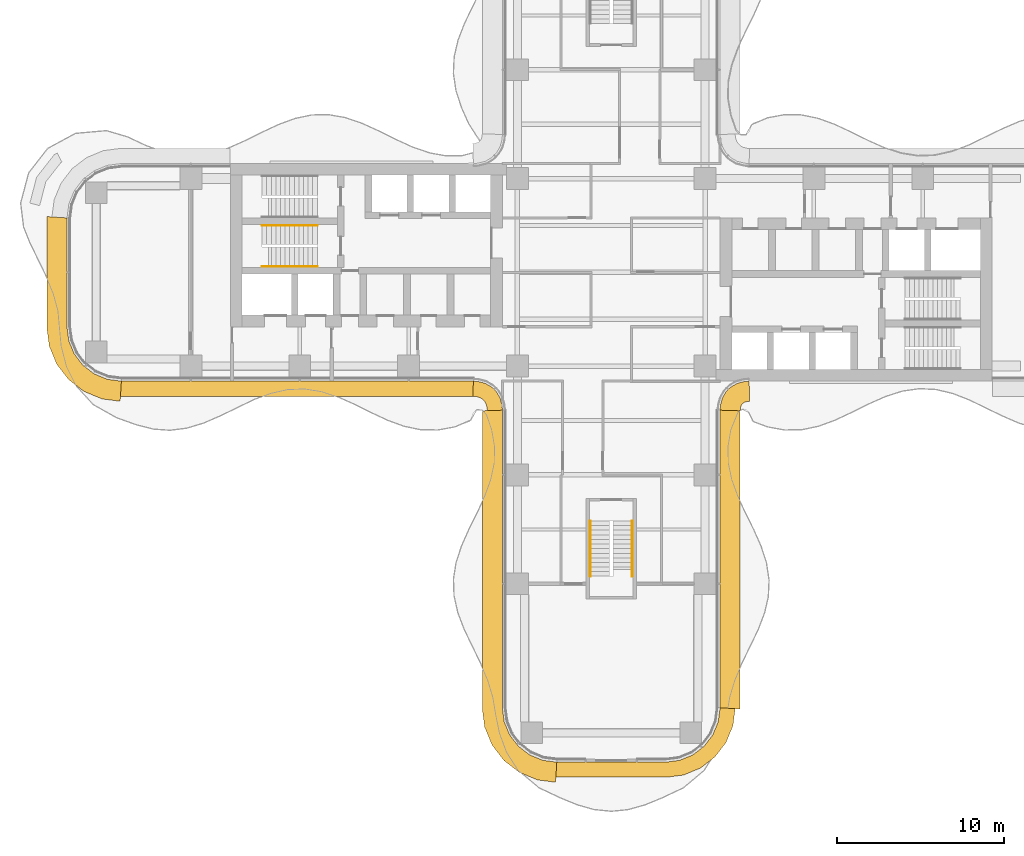
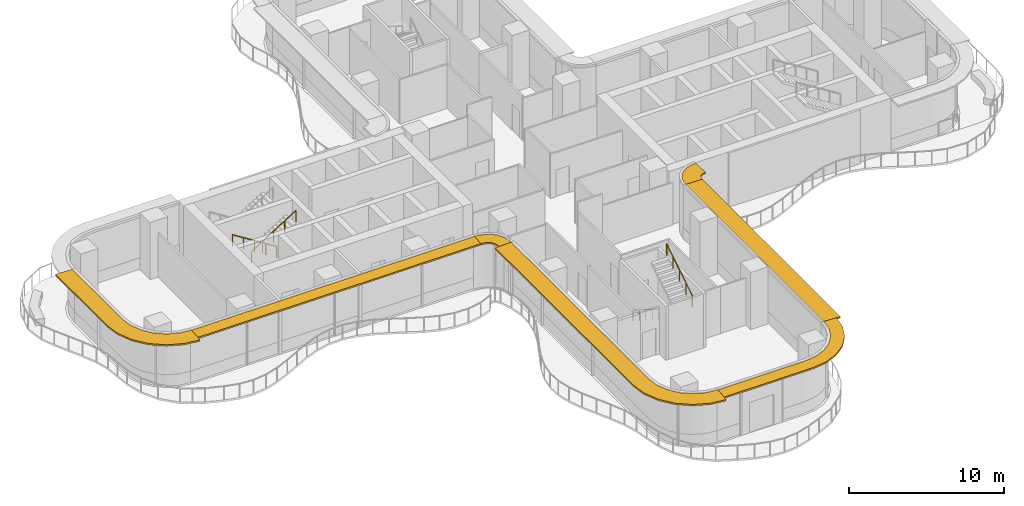
# One storey, part 20 of 21: 7 shading devices, 4 railings.
"""IFC4 building model written with IfcOpenShell, lengths in metres."""

from ifc_helpers import new_model, si_unit, direction, frame, origin, origin_2d, place, context, subcontext, project, spatial, polyline, circle, outline, extrude, source, transform, mapped, material, layer, layer_set, type_object, element, save


model = new_model("IFC4")

# Units and contexts
model_context = context("Model", 3, precision=1e-05, world=origin(), true_north=direction((0.0, 1.0)))
body_context = subcontext(model_context, "Body", "Model", "MODEL_VIEW")
ifc_project = project(units=[si_unit("LENGTHUNIT", "METRE"), si_unit("AREAUNIT", "SQUARE_METRE"), si_unit("VOLUMEUNIT", "CUBIC_METRE"), si_unit("PLANEANGLEUNIT", "RADIAN"), si_unit("MASSUNIT", "GRAM", prefix="KILO")], contexts=[model_context])

# Site, building, storey
site_placement = place(None, origin())
site = spatial("IfcSite", under=ifc_project, at=site_placement, CompositionType="ELEMENT")
building_placement = place(site_placement, origin())
building = spatial("IfcBuilding", under=site, at=building_placement, Name="Trellis Farm Tower", CompositionType="ELEMENT")
storey_placement = place(building_placement, frame((0.0, 0.0, 97.5)))
storey = spatial("IfcBuildingStorey", under=building, at=storey_placement, Name="L20", CompositionType="ELEMENT", Elevation=97.5)

# Railings
ifc_material_1 = material(Name="Stainless steel", Category="steel")
railing_type = type_object("IfcRailingType", Name="STAIR HANDRAIL 900", PredefinedType="HANDRAIL", material=ifc_material_1)
shared_shape_1 = source(origin(), body_context, "Body", "SweptSolid", [
    extrude(circle(Radius=0.02392578125, at=origin_2d()), frame((0.0, 0.0, 0.8759765625), z_axis=(0.0, 0.846319618018, 0.532675421018), x_axis=(-1.0, 0.0, 0.0)), (0.0, 0.0, 1.0), 3.89892578125),
    extrude(circle(Radius=0.02099609375, at=origin_2d()), origin(), (0.0, 0.0, 1.0), 0.851806640625),
    extrude(circle(Radius=0.02099609375, at=origin_2d()), frame((0.0, 0.824951171875, 0.519287109375)), (0.0, 0.0, 1.0), 0.851806640625),
    extrude(circle(Radius=0.02099609375, at=origin_2d()), frame((0.0, 1.64990234375, 1.03857421875)), (0.0, 0.0, 1.0), 0.851806640625),
    extrude(circle(Radius=0.02099609375, at=origin_2d()), frame((0.0, 2.474853515625, 1.5576171875)), (0.0, 0.0, 1.0), 0.851806640625),
    extrude(circle(Radius=0.02099609375, at=origin_2d()), frame((0.0, 3.2998046875, 2.076904296875)), (0.0, 0.0, 1.0), 0.851806640625),
])
railing_1_placement = place(storey_placement, frame((1.25, -18.14990234375, 2.423095703125)))
element("IfcRailing", 1, at=railing_1_placement, inside=storey, type_object=railing_type, Name="Stair handrail", PredefinedType="HANDRAIL", context=body_context, shape_type="MappedRepresentation", body=[
    mapped(shared_shape_1, transform((0.0, 0.0, 0.0))),
])
shared_shape_2 = source(origin(), body_context, "Body", "SweptSolid", [
    extrude(circle(Radius=0.02392578125, at=origin_2d()), frame((0.0, 0.0, 0.8759765625), z_axis=(0.0, -0.846319618018, 0.532675421018), x_axis=(1.0, 0.0, 0.0)), (0.0, 0.0, 1.0), 3.89892578125),
    extrude(circle(Radius=0.02099609375, at=origin_2d()), origin(), (0.0, 0.0, 1.0), 0.851806640625),
    extrude(circle(Radius=0.02099609375, at=origin_2d()), frame((0.0, -0.824951171875, 0.519287109375)), (0.0, 0.0, 1.0), 0.851806640625),
    extrude(circle(Radius=0.02099609375, at=origin_2d()), frame((0.0, -1.64990234375, 1.03857421875)), (0.0, 0.0, 1.0), 0.851806640625),
    extrude(circle(Radius=0.02099609375, at=origin_2d()), frame((0.0, -2.474853515625, 1.5576171875)), (0.0, 0.0, 1.0), 0.851806640625),
    extrude(circle(Radius=0.02099609375, at=origin_2d()), frame((0.0, -3.2998046875, 2.076904296875)), (0.0, 0.0, 1.0), 0.851806640625),
])
railing_2_placement = place(storey_placement, frame((-1.25, -14.85009765625, 0.173095703125)))
element("IfcRailing", 2, at=railing_2_placement, inside=storey, type_object=railing_type, Name="Stair handrail", PredefinedType="HANDRAIL", context=body_context, shape_type="MappedRepresentation", body=[
    mapped(shared_shape_2, transform((0.0, 0.0, 0.0))),
])
shared_shape_3 = source(origin(), body_context, "Body", "SweptSolid", [
    extrude(circle(Radius=0.02392578125, at=origin_2d()), frame((0.0, 0.0, 0.8759765625), z_axis=(0.846337383501, 0.0, 0.532647194011), x_axis=(0.0, 1.0, 0.0)), (0.0, 0.0, 1.0), 3.899169921875),
    extrude(circle(Radius=0.02099609375, at=origin_2d()), origin(), (0.0, 0.0, 1.0), 0.851806640625),
    extrude(circle(Radius=0.02099609375, at=origin_2d()), frame((0.824951171875, 0.0, 0.519287109375)), (0.0, 0.0, 1.0), 0.851806640625),
    extrude(circle(Radius=0.02099609375, at=origin_2d()), frame((1.64990234375, 0.0, 1.03857421875)), (0.0, 0.0, 1.0), 0.851806640625),
    extrude(circle(Radius=0.02099609375, at=origin_2d()), frame((2.47509765625, 0.0, 1.5576171875)), (0.0, 0.0, 1.0), 0.851806640625),
    extrude(circle(Radius=0.02099609375, at=origin_2d()), frame((3.300048828125, 0.0, 2.076904296875)), (0.0, 0.0, 1.0), 0.851806640625),
])
railing_3_placement = place(storey_placement, frame((-20.85009765625, 0.35009765625, 2.423095703125)))
element("IfcRailing", 3, at=railing_3_placement, inside=storey, type_object=railing_type, Name="Stair handrail", PredefinedType="HANDRAIL", context=body_context, shape_type="MappedRepresentation", body=[
    mapped(shared_shape_3, transform((0.0, 0.0, 0.0))),
])
shared_shape_4 = source(origin(), body_context, "Body", "SweptSolid", [
    extrude(circle(Radius=0.02392578125, at=origin_2d()), frame((0.0, 0.0, 0.8759765625), z_axis=(-0.846337383501, 0.0, 0.532647194011), x_axis=(0.0, -1.0, 0.0)), (0.0, 0.0, 1.0), 3.899169921875),
    extrude(circle(Radius=0.02099609375, at=origin_2d()), origin(), (0.0, 0.0, 1.0), 0.851806640625),
    extrude(circle(Radius=0.02099609375, at=origin_2d()), frame((-0.824951171875, 0.0, 0.519287109375)), (0.0, 0.0, 1.0), 0.851806640625),
    extrude(circle(Radius=0.02099609375, at=origin_2d()), frame((-1.64990234375, 0.0, 1.03857421875)), (0.0, 0.0, 1.0), 0.851806640625),
    extrude(circle(Radius=0.02099609375, at=origin_2d()), frame((-2.47509765625, 0.0, 1.5576171875)), (0.0, 0.0, 1.0), 0.851806640625),
    extrude(circle(Radius=0.02099609375, at=origin_2d()), frame((-3.300048828125, 0.0, 2.076904296875)), (0.0, 0.0, 1.0), 0.851806640625),
])
railing_4_placement = place(storey_placement, frame((-17.550048828125, 2.800048828125, 0.173095703125)))
element("IfcRailing", 4, at=railing_4_placement, inside=storey, type_object=railing_type, Name="Stair handrail", PredefinedType="HANDRAIL", context=body_context, shape_type="MappedRepresentation", body=[
    mapped(shared_shape_4, transform((0.0, 0.0, 0.0))),
])

# Shading devices
ifc_material_2 = material(Name="Aluminium extrusion 6063-T6", Category="aluminium")
ifc_layer_1 = layer(ifc_material_2, 0.1201171875)
ifc_layer_set_1 = layer_set([ifc_layer_1], Name="SUNSHADE BLADE 900")
shading_device_type_1 = type_object("IfcShadingDeviceType", Name="SUNSHADE BLADE 900", PredefinedType="USERDEFINED", material=ifc_layer_set_1)
shared_shape_5 = source(origin(), body_context, "Body", "SweptSolid", [
    extrude(outline(polyline([(-29.30908203125, -7.39990234375), (-8.2607421875, -7.39990234375), (-8.2314453125, -6.5), (-29.25, -6.5), (-29.30908203125, -7.39990234375)])), origin(), (0.0, 0.0, 1.0), 0.119873046875),
])
placement = place(storey_placement, frame((0.0, 0.0, 4.090087890625)))
element("IfcShadingDevice", 5, at=placement, inside=storey, type_object=shading_device_type_1, Name="SD1 001", ObjectType="SUNSHADE", PredefinedType="USERDEFINED", context=body_context, shape_type="MappedRepresentation", body=[
    mapped(shared_shape_5, transform((0.0, 0.0, 0.0))),
])
shared_shape_6 = source(origin(), body_context, "Body", "SweptSolid", [
    extrude(outline(polyline([(-8.2607421875, -7.39990234375), (-8.107666015625, -7.409912109375), (-8.091552734375, -7.412109375), (-7.85595703125, -7.475341796875), (-7.697021484375, -7.567138671875), (-7.567138671875, -7.697021484375), (-7.475341796875, -7.85595703125), (-7.412109375, -8.091552734375), (-7.409912109375, -8.107666015625), (-7.39990234375, -8.2607421875), (-6.5, -8.2314453125), (-6.513916015625, -8.01953125), (-6.527587890625, -7.91552734375), (-6.63671875, -7.508544921875), (-6.846923828125, -7.144287109375), (-7.144287109375, -6.846923828125), (-7.508544921875, -6.63671875), (-7.91552734375, -6.527587890625), (-8.01953125, -6.513916015625), (-8.2314453125, -6.5), (-8.2607421875, -7.39990234375)])), origin(), (0.0, 0.0, 1.0), 0.119873046875),
])
element("IfcShadingDevice", 6, at=placement, inside=storey, type_object=shading_device_type_1, Name="SD1 002", ObjectType="SUNSHADE", PredefinedType="USERDEFINED", context=body_context, shape_type="MappedRepresentation", body=[
    mapped(shared_shape_6, transform((0.0, 0.0, 0.0))),
])
ifc_layer_2 = layer(ifc_material_2, 0.1201171875)
ifc_layer_set_2 = layer_set([ifc_layer_2], Name="SUNSHADE BLADE 1200")
shading_device_type_2 = type_object("IfcShadingDeviceType", Name="SUNSHADE BLADE 1200", PredefinedType="USERDEFINED", material=ifc_layer_set_2)
shared_shape_7 = source(origin(), body_context, "Body", "SweptSolid", [
    extrude(outline(polyline([(-7.699951171875, -8.270751953125), (-7.699951171875, -26.07861328125), (-7.558349609375, -27.154541015625), (-7.11279296875, -28.230224609375), (-6.404052734375, -29.154052734375), (-5.480224609375, -29.86279296875), (-4.404541015625, -30.308349609375), (-3.32861328125, -30.449951171875), (-3.25, -29.25), (-4.091064453125, -29.13916015625), (-4.875, -28.814697265625), (-5.548095703125, -28.298095703125), (-6.064697265625, -27.625), (-6.38916015625, -26.841064453125), (-6.5, -26.0), (-6.5, -8.2314453125), (-7.699951171875, -8.270751953125)])), origin(), (0.0, 0.0, 1.0), 0.119873046875),
])
element("IfcShadingDevice", 7, at=placement, inside=storey, type_object=shading_device_type_2, Name="SD2 003", ObjectType="SUNSHADE", PredefinedType="USERDEFINED", context=body_context, shape_type="MappedRepresentation", body=[
    mapped(shared_shape_7, transform((0.0, 0.0, 0.0))),
])
shared_shape_8 = source(origin(), body_context, "Body", "SweptSolid", [
    extrude(outline(polyline([(-3.30908203125, -30.14990234375), (3.30908203125, -30.14990234375), (4.326171875, -30.01611328125), (5.328857421875, -29.600830078125), (6.18994140625, -28.93994140625), (6.850830078125, -28.078857421875), (7.26611328125, -27.076171875), (7.39990234375, -26.05908203125), (6.5, -26.0), (6.38916015625, -26.841064453125), (6.064697265625, -27.625), (5.548095703125, -28.298095703125), (4.875, -28.814697265625), (4.091064453125, -29.13916015625), (3.25, -29.25), (-3.25, -29.25), (-3.30908203125, -30.14990234375)])), origin(), (0.0, 0.0, 1.0), 0.119873046875),
])
element("IfcShadingDevice", 8, at=placement, inside=storey, type_object=shading_device_type_1, Name="SD1 004", ObjectType="SUNSHADE", PredefinedType="USERDEFINED", context=body_context, shape_type="MappedRepresentation", body=[
    mapped(shared_shape_8, transform((0.0, 0.0, 0.0))),
])
shared_shape_9 = source(origin(), body_context, "Body", "SweptSolid", [
    extrude(outline(polyline([(7.699951171875, -26.07861328125), (7.699951171875, -8.270751953125), (6.5, -8.2314453125), (6.5, -26.0), (7.699951171875, -26.07861328125)])), origin(), (0.0, 0.0, 1.0), 0.119873046875),
])
element("IfcShadingDevice", 9, at=placement, inside=storey, type_object=shading_device_type_2, Name="SD2 005", ObjectType="SUNSHADE", PredefinedType="USERDEFINED", context=body_context, shape_type="MappedRepresentation", body=[
    mapped(shared_shape_9, transform((0.0, 0.0, 0.0))),
])
shared_shape_10 = source(origin(), body_context, "Body", "SweptSolid", [
    extrude(outline(polyline([(7.699951171875, -8.270751953125), (7.708740234375, -8.13720703125), (7.70703125, -8.150146484375), (7.7548828125, -7.9716796875), (7.80712890625, -7.881103515625), (7.881103515625, -7.80712890625), (7.9716796875, -7.7548828125), (8.150146484375, -7.70703125), (8.13720703125, -7.708740234375), (8.270751953125, -7.699951171875), (8.2314453125, -6.5), (8.01953125, -6.513916015625), (7.91552734375, -6.527587890625), (7.508544921875, -6.63671875), (7.144287109375, -6.846923828125), (6.846923828125, -7.144287109375), (6.63671875, -7.508544921875), (6.527587890625, -7.91552734375), (6.513916015625, -8.01953125), (6.5, -8.2314453125), (7.699951171875, -8.270751953125)])), origin(), (0.0, 0.0, 1.0), 0.119873046875),
])
element("IfcShadingDevice", 10, at=placement, inside=storey, type_object=shading_device_type_2, Name="SD2 006", ObjectType="SUNSHADE", PredefinedType="USERDEFINED", context=body_context, shape_type="MappedRepresentation", body=[
    mapped(shared_shape_10, transform((0.0, 0.0, 0.0))),
])
shared_shape_11 = source(origin(), body_context, "Body", "SweptSolid", [
    extrude(outline(polyline([(-33.699951171875, 3.32861328125), (-33.699951171875, -3.32861328125), (-33.558349609375, -4.404541015625), (-33.11279296875, -5.480224609375), (-32.404052734375, -6.404052734375), (-31.480224609375, -7.11279296875), (-30.404541015625, -7.558349609375), (-29.32861328125, -7.699951171875), (-29.25, -6.5), (-30.091064453125, -6.38916015625), (-30.875, -6.064697265625), (-31.548095703125, -5.548095703125), (-32.064697265625, -4.875), (-32.38916015625, -4.091064453125), (-32.5, -3.25), (-32.5, 3.25), (-33.699951171875, 3.32861328125)])), origin(), (0.0, 0.0, 1.0), 0.119873046875),
])
element("IfcShadingDevice", 11, at=placement, inside=storey, type_object=shading_device_type_2, Name="SD2 016", ObjectType="SUNSHADE", PredefinedType="USERDEFINED", context=body_context, shape_type="MappedRepresentation", body=[
    mapped(shared_shape_11, transform((0.0, 0.0, 0.0))),
])

save(model, "model.ifc")
